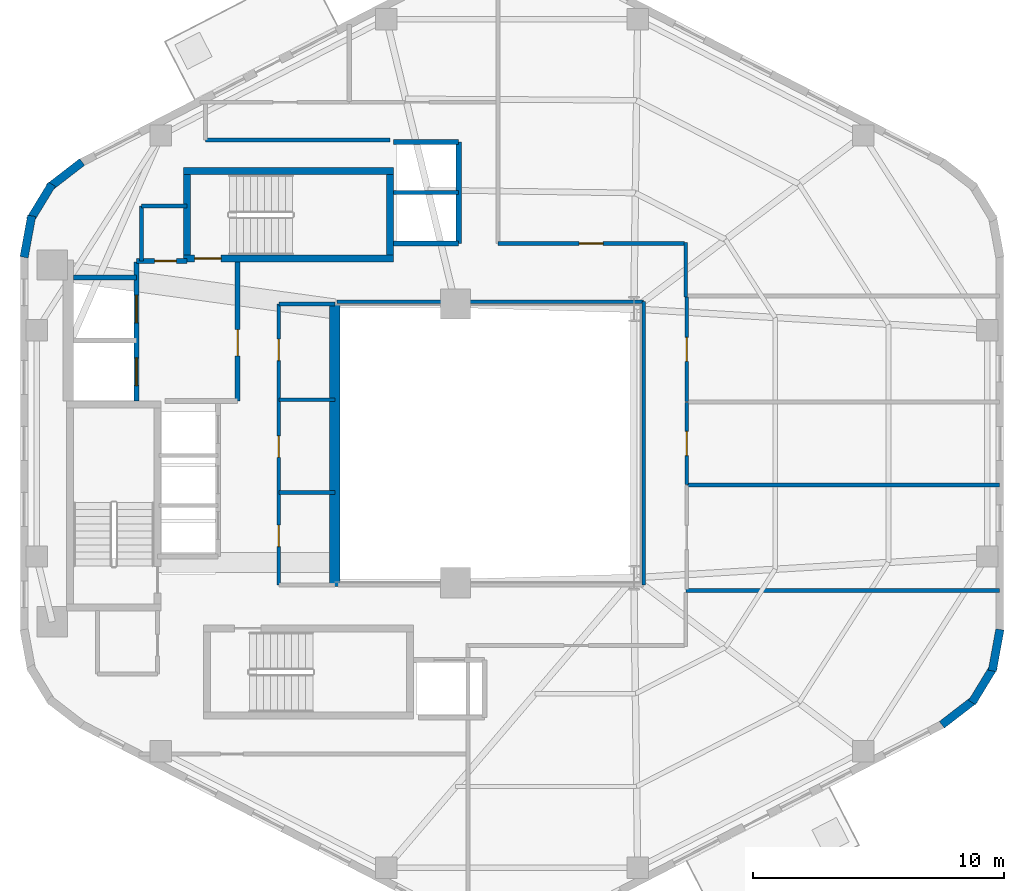
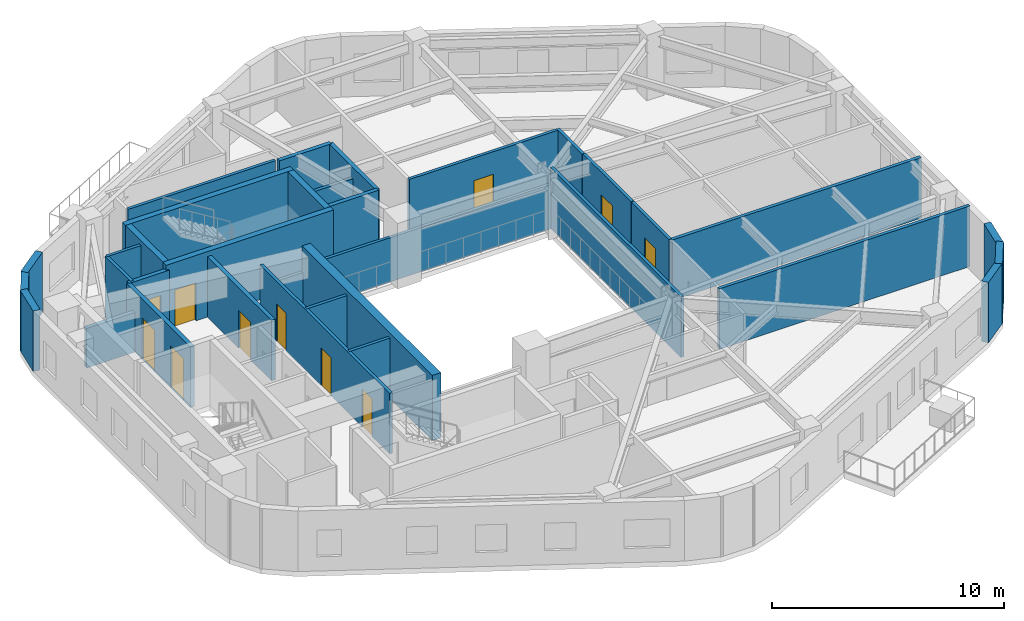
# One storey, part 4 of 8: 34 walls, 11 doors, 11 openings.
"""IFC4 building model written with IfcOpenShell, lengths in metres."""

from ifc_helpers import new_model, si_unit, direction, frame, frame_2d, origin, place, context, subcontext, project, spatial, rectangle, extrude, material, layer, layer_set, type_object, element, fill, save


model = new_model("IFC4")

# Units and contexts
model_context = context("Model", 3, precision=1e-05, world=origin(), true_north=direction((0.0, 1.0)))
body_context = subcontext(model_context, "Body", "Model", "MODEL_VIEW")
ifc_project = project(units=[si_unit("LENGTHUNIT", "METRE"), si_unit("AREAUNIT", "SQUARE_METRE"), si_unit("VOLUMEUNIT", "CUBIC_METRE"), si_unit("PLANEANGLEUNIT", "RADIAN"), si_unit("MASSUNIT", "GRAM", prefix="KILO"), si_unit("THERMODYNAMICTEMPERATUREUNIT", "KELVIN"), si_unit("POWERUNIT", "WATT")], contexts=[model_context])

# Site, building, storey
site_placement = place(None, origin())
site = spatial("IfcSite", under=ifc_project, at=site_placement, CompositionType="ELEMENT")
building_placement = place(site_placement, origin())
building = spatial("IfcBuilding", under=site, at=building_placement, Name="Skarre Station Tower", CompositionType="ELEMENT")
storey_placement = place(building_placement, frame((0.0, 0.0, 203.35009765625)))
storey = spatial("IfcBuildingStorey", under=building, at=storey_placement, Name="L55", CompositionType="ELEMENT", Elevation=203.35009765625)

# Walls
ifc_material_1 = material(Name="Acoustic Steel-Stud Gypsum Partition", Category="steel")
ifc_layer_1 = layer(ifc_material_1, 0.14990234375, Name="Acoustic Steel-Stud Gypsum Partition")
ifc_layer_set_1 = layer_set([ifc_layer_1], Name="Acoustic Steel-Stud Gypsum Partition")
wall_type_1 = type_object("IfcWallType", Name="Fire-Rated Corridor Acoustic Partition 150", PredefinedType="PARTITIONING", material=ifc_layer_set_1)
for number, where, z_axis, x_axis, name in (
    (1, (25.320068359375, 22.0400390625, 0.0), (0.0, 0.0, 1.0), (1.0, 0.0, 0.0), "L55 Interior Partition WL-PT-L55-RC2-M1"),
    (2, (25.320068359375, 25.739990234375, 0.0), (0.0, 0.0, 1.0), (1.0, 0.0, 0.0), "L55 Interior Partition WL-PT-L55-RC2-M2"),
):
    element("IfcWall", number, at=place(storey_placement, frame(where, z_axis=z_axis, x_axis=x_axis)), inside=storey, type_object=wall_type_1, Name=name, PredefinedType="PARTITIONING", context=body_context, shape_type="SweptSolid", body=[
        extrude(rectangle(XDim=2.22998046875, YDim=0.14990234375, at=frame_2d((1.114990234375, 0.0))), origin(), (0.0, 0.0, 1.0), 3.18994140625),
    ])

# Wall, openings, doors
wall_1_placement = place(storey_placement, frame((25.320068359375, 29.550048828125, 0.0), z_axis=(0.0, 0.0, 1.0), x_axis=(0.0, -1.0, 0.0)))
wall_1 = element("IfcWall", 3, at=wall_1_placement, inside=storey, type_object=wall_type_1, Name="L55 Interior Partition WL-PT-L55-RC2-W", PredefinedType="PARTITIONING", context=body_context, shape_type="SweptSolid", body=[
    extrude(rectangle(XDim=11.18994140625, YDim=0.14990234375, at=frame_2d((5.594970703125, 0.0))), origin(), (0.0, 0.0, 1.0), 3.18994140625),
])
opening_1_placement = place(wall_1_placement, frame((1.39990234375, 0.0, 0.0)))
opening_1 = element("IfcOpeningElement", 4, at=opening_1_placement, cuts=wall_1, Name="Opening DR-SVC86", PredefinedType="OPENING", context=body_context, shape_type="SweptSolid", body=[
    extrude(rectangle(XDim=0.860107421875, YDim=2.0, at=frame_2d((0.43017578125, 1.0))), frame((0.0, 0.0849609375, 0.0), z_axis=(0.0, -1.0, 0.0), x_axis=(1.0, 0.0, 0.0)), (0.0, 0.0, 1.0), 0.169921875),
])
opening_2_placement = place(wall_1_placement, frame((5.25, 0.0, 0.0)))
opening_2 = element("IfcOpeningElement", 5, at=opening_2_placement, cuts=wall_1, Name="Opening DR-SVC86", PredefinedType="OPENING", context=body_context, shape_type="SweptSolid", body=[
    extrude(rectangle(XDim=0.860107421875, YDim=2.0, at=frame_2d((0.43017578125, 1.0))), frame((0.0, 0.0849609375, 0.0), z_axis=(0.0, -1.0, 0.0), x_axis=(1.0, 0.0, 0.0)), (0.0, 0.0, 1.0), 0.169921875),
])
opening_3_placement = place(wall_1_placement, frame((8.800048828125, 0.0, 0.0)))
opening_3 = element("IfcOpeningElement", 6, at=opening_3_placement, cuts=wall_1, Name="Opening DR-SVC86", PredefinedType="OPENING", context=body_context, shape_type="SweptSolid", body=[
    extrude(rectangle(XDim=0.860107421875, YDim=2.0, at=frame_2d((0.43017578125, 1.0))), frame((0.0, 0.0849609375, 0.0), z_axis=(0.0, -1.0, 0.0), x_axis=(1.0, 0.0, 0.0)), (0.0, 0.0, 1.0), 0.169921875),
])
ifc_material_2 = material(Name="Powder-Coated Hollow-Metal Acoustic Fire Leaf", Category="steel")
door_type_1 = type_object("IfcDoorType", Name="Compact Riser Fire Door FD60 860x2100", OperationType="SINGLE_SWING_LEFT", PredefinedType="DOOR", material=ifc_material_2)
door_1_placement = place(opening_1_placement, origin())
door_1 = element("IfcDoor", 7, at=door_1_placement, inside=storey, type_object=door_type_1, Name="L55 Housekeeping Storage Door", OperationType="SINGLE_SWING_LEFT", OverallHeight=2.0, OverallWidth=0.860107421875, PredefinedType="DOOR", context=body_context, shape_type="SweptSolid", body=[
    extrude(rectangle(XDim=0.860107421875, YDim=2.0, at=frame_2d((0.43017578125, 1.0))), frame((0.0, 0.02490234375, 0.0), z_axis=(0.0, -1.0, 0.0), x_axis=(1.0, 0.0, 0.0)), (0.0, 0.0, 1.0), 0.050048828125),
])
fill(opening_1, door_1)
door_2_placement = place(opening_2_placement, origin())
door_2 = element("IfcDoor", 8, at=door_2_placement, inside=storey, type_object=door_type_1, Name="L55 Core IT Room Door", OperationType="SINGLE_SWING_LEFT", OverallHeight=2.0, OverallWidth=0.860107421875, PredefinedType="DOOR", context=body_context, shape_type="SweptSolid", body=[
    extrude(rectangle(XDim=0.860107421875, YDim=2.0, at=frame_2d((0.43017578125, 1.0))), frame((0.0, 0.02490234375, 0.0), z_axis=(0.0, -1.0, 0.0), x_axis=(1.0, 0.0, 0.0)), (0.0, 0.0, 1.0), 0.050048828125),
])
fill(opening_2, door_2)
door_3_placement = place(opening_3_placement, origin())
door_3 = element("IfcDoor", 9, at=door_3_placement, inside=storey, type_object=door_type_1, Name="L55 Beverage Pantry Door", OperationType="SINGLE_SWING_LEFT", OverallHeight=2.0, OverallWidth=0.860107421875, PredefinedType="DOOR", context=body_context, shape_type="SweptSolid", body=[
    extrude(rectangle(XDim=0.860107421875, YDim=2.0, at=frame_2d((0.43017578125, 1.0))), frame((0.0, 0.02490234375, 0.0), z_axis=(0.0, -1.0, 0.0), x_axis=(1.0, 0.0, 0.0)), (0.0, 0.0, 1.0), 0.050048828125),
])
fill(opening_3, door_3)

# Walls
wall_2_placement = place(storey_placement, frame((27.550048828125, 29.550048828125, 0.0), z_axis=(0.0, 0.0, 1.0), x_axis=(-1.0, 0.0, 0.0)))
element("IfcWall", 10, at=wall_2_placement, inside=storey, type_object=wall_type_1, Name="L55 Interior Partition WL-PT-L55-RC2-N", PredefinedType="PARTITIONING", context=body_context, shape_type="SweptSolid", body=[
    extrude(rectangle(XDim=2.22998046875, YDim=0.14990234375, at=frame_2d((1.114990234375, 0.0))), origin(), (0.0, 0.0, 1.0), 2.08984375),
])
wall_3_placement = place(storey_placement, frame((19.85009765625, 33.449951171875, 0.0), z_axis=(0.0, 0.0, 1.0), x_axis=(0.0, -1.0, 0.0)))
element("IfcWall", 11, at=wall_3_placement, inside=storey, type_object=wall_type_1, Name="L55 Interior Partition WL-PT-L55-CNW-W", PredefinedType="PARTITIONING", context=body_context, shape_type="SweptSolid", body=[
    extrude(rectangle(XDim=2.18994140625, YDim=0.14990234375, at=frame_2d((1.094970703125, 0.0))), origin(), (0.0, 0.0, 1.0), 3.18994140625),
])
wall_4_placement = place(storey_placement, frame((21.659912109375, 33.449951171875, 0.0), z_axis=(0.0, 0.0, 1.0), x_axis=(-1.0, 0.0, 0.0)))
element("IfcWall", 12, at=wall_4_placement, inside=storey, type_object=wall_type_1, Name="L55 Interior Partition WL-PT-L55-CNW-N1", PredefinedType="PARTITIONING", context=body_context, shape_type="SweptSolid", body=[
    extrude(rectangle(XDim=1.809814453125, YDim=0.14990234375, at=frame_2d((0.90478515625, 0.0))), origin(), (0.0, 0.0, 1.0), 3.18994140625),
])
wall_5_placement = place(storey_placement, frame((39.840087890625, 29.639892578125, 0.0), z_axis=(0.0, 0.0, 1.0), x_axis=(-1.0, 0.0, 0.0)))
element("IfcWall", 13, at=wall_5_placement, inside=storey, type_object=wall_type_1, Name="L55 Interior Partition WL-PT-L55-ATRW-N", PredefinedType="PARTITIONING", context=body_context, shape_type="SweptSolid", body=[
    extrude(rectangle(XDim=12.203125, YDim=0.14990234375, at=frame_2d((6.1015625, 0.0))), origin(), (0.0, 0.0, 1.0), 2.330810546875),
])
wall_6_placement = place(storey_placement, frame((39.840087890625, 18.360107421875, 0.0), z_axis=(0.0, 0.0, 1.0), x_axis=(0.0, 1.0, 0.0)))
element("IfcWall", 14, at=wall_6_placement, inside=storey, type_object=wall_type_1, Name="L55 Interior Partition WL-PT-L55-ATRW-E", PredefinedType="PARTITIONING", context=body_context, shape_type="SweptSolid", body=[
    extrude(rectangle(XDim=11.27978515625, YDim=0.14990234375, at=frame_2d((5.639892578125, 0.0))), origin(), (0.0, 0.0, 1.0), 3.18994140625),
])
wall_7_placement = place(storey_placement, frame((41.52001953125, 29.820068359375, 0.0), z_axis=(0.0, 0.0, 1.0), x_axis=(0.0, 1.0, 0.0)))
element("IfcWall", 15, at=wall_7_placement, inside=storey, type_object=wall_type_1, Name="L55 Interior Partition WL-PT-L55-CORR-NER", PredefinedType="PARTITIONING", context=body_context, shape_type="SweptSolid", body=[
    extrude(rectangle(XDim=2.179931640625, YDim=0.14990234375, at=frame_2d((1.08984375, 0.0))), origin(), (0.0, 0.0, 1.0), 3.18994140625),
])

# Wall, opening, door
wall_8_placement = place(storey_placement, frame((41.4599609375, 31.9599609375, 0.0), z_axis=(0.0, 0.0, 1.0), x_axis=(-1.0, 0.0, 0.0)))
wall_8 = element("IfcWall", 16, at=wall_8_placement, inside=storey, type_object=wall_type_1, Name="L55 Interior Partition WL-PT-L55-NW1-CW", PredefinedType="PARTITIONING", context=body_context, shape_type="SweptSolid", body=[
    extrude(rectangle(XDim=7.419921875, YDim=0.14990234375, at=frame_2d((3.7099609375, 0.0))), origin(), (0.0, 0.0, 1.0), 3.18994140625),
])
opening_4_placement = place(wall_8_placement, frame((3.22998046875, 0.0, 0.0)))
opening_4 = element("IfcOpeningElement", 17, at=opening_4_placement, cuts=wall_8, Name="Opening DR-FD60", PredefinedType="OPENING", context=body_context, shape_type="SweptSolid", body=[
    extrude(rectangle(XDim=0.9599609375, YDim=2.0, at=frame_2d((0.47998046875, 1.0))), frame((0.0, 0.0849609375, 0.0), z_axis=(0.0, -1.0, 0.0), x_axis=(1.0, 0.0, 0.0)), (0.0, 0.0, 1.0), 0.169921875),
])
ifc_material_3 = material(Name="Nordic White-Oak Veneer Solid-Core Fire Leaf", Category="wood")
door_type_2 = type_object("IfcDoorType", Name="Corridor Suite Entry Fire Door FD60 960x2150", OperationType="SINGLE_SWING_LEFT", PredefinedType="DOOR", material=ifc_material_3)
door_4_placement = place(opening_4_placement, origin())
door_4 = element("IfcDoor", 18, at=door_4_placement, inside=storey, type_object=door_type_2, Name="L55 NW1 Entry Door", OperationType="SINGLE_SWING_LEFT", OverallHeight=2.0, OverallWidth=0.9599609375, PredefinedType="DOOR", context=body_context, shape_type="SweptSolid", body=[
    extrude(rectangle(XDim=0.9599609375, YDim=2.0, at=frame_2d((0.47998046875, 1.0))), frame((0.0, 0.02490234375, 0.0), z_axis=(0.0, -1.0, 0.0), x_axis=(1.0, 0.0, 0.0)), (0.0, 0.0, 1.0), 0.050048828125),
])
fill(opening_4, door_4)

wall_9_placement = place(storey_placement, frame((41.56005859375, 22.364990234375, 0.0), z_axis=(0.0, 0.0, 1.0), x_axis=(0.0, 1.0, 0.0)))
wall_9 = element("IfcWall", 19, at=wall_9_placement, inside=storey, type_object=wall_type_1, Name="L55 Interior Partition WL-PT-L55-EW2-CW", PredefinedType="PARTITIONING", context=body_context, shape_type="SweptSolid", body=[
    extrude(rectangle(XDim=3.258056640625, YDim=0.14990234375, at=frame_2d((1.62890625, 0.0))), origin(), (0.0, 0.0, 1.0), 3.18994140625),
])
opening_5_placement = place(wall_9_placement, frame((1.14892578125, 0.0, 0.0)))
opening_5 = element("IfcOpeningElement", 20, at=opening_5_placement, cuts=wall_9, Name="Opening DR-FD60", PredefinedType="OPENING", context=body_context, shape_type="SweptSolid", body=[
    extrude(rectangle(XDim=0.9599609375, YDim=2.0, at=frame_2d((0.47998046875, 1.0))), frame((0.0, 0.0849609375, 0.0), z_axis=(0.0, -1.0, 0.0), x_axis=(1.0, 0.0, 0.0)), (0.0, 0.0, 1.0), 0.169921875),
])
door_5_placement = place(opening_5_placement, origin())
door_5 = element("IfcDoor", 21, at=door_5_placement, inside=storey, type_object=door_type_2, Name="L55 EW2 Entry Door", OperationType="SINGLE_SWING_LEFT", OverallHeight=2.0, OverallWidth=0.9599609375, PredefinedType="DOOR", context=body_context, shape_type="SweptSolid", body=[
    extrude(rectangle(XDim=0.9599609375, YDim=2.0, at=frame_2d((0.47998046875, 1.0))), frame((0.0, 0.02490234375, 0.0), z_axis=(0.0, -1.0, 0.0), x_axis=(1.0, 0.0, 0.0)), (0.0, 0.0, 1.0), 0.050048828125),
])
fill(opening_5, door_5)

wall_10_placement = place(storey_placement, frame((41.56005859375, 25.658935546875, 0.0), z_axis=(0.0, 0.0, 1.0), x_axis=(0.0, 1.0, 0.0)))
wall_10 = element("IfcWall", 22, at=wall_10_placement, inside=storey, type_object=wall_type_1, Name="L55 Interior Partition WL-PT-L55-EW3-CW", PredefinedType="PARTITIONING", context=body_context, shape_type="SweptSolid", body=[
    extrude(rectangle(XDim=4.1611328125, YDim=0.14990234375, at=frame_2d((2.08056640625, 0.0))), origin(), (0.0, 0.0, 1.0), 3.18994140625),
])
opening_6_placement = place(wall_10_placement, frame((1.60107421875, 0.0, 0.0)))
opening_6 = element("IfcOpeningElement", 23, at=opening_6_placement, cuts=wall_10, Name="Opening DR-FD60", PredefinedType="OPENING", context=body_context, shape_type="SweptSolid", body=[
    extrude(rectangle(XDim=0.9599609375, YDim=2.0, at=frame_2d((0.47998046875, 1.0))), frame((0.0, 0.0849609375, 0.0), z_axis=(0.0, -1.0, 0.0), x_axis=(1.0, 0.0, 0.0)), (0.0, 0.0, 1.0), 0.169921875),
])
door_6_placement = place(opening_6_placement, origin())
door_6 = element("IfcDoor", 24, at=door_6_placement, inside=storey, type_object=door_type_2, Name="L55 EW3 Entry Door", OperationType="SINGLE_SWING_LEFT", OverallHeight=2.0, OverallWidth=0.9599609375, PredefinedType="DOOR", context=body_context, shape_type="SweptSolid", body=[
    extrude(rectangle(XDim=0.9599609375, YDim=2.0, at=frame_2d((0.47998046875, 1.0))), frame((0.0, 0.02490234375, 0.0), z_axis=(0.0, -1.0, 0.0), x_axis=(1.0, 0.0, 0.0)), (0.0, 0.0, 1.0), 0.050048828125),
])
fill(opening_6, door_6)

# Walls
wall_11_placement = place(storey_placement, frame((29.7529296875, 36.080078125, 0.0), z_axis=(0.0, 0.0, 1.0), x_axis=(-1.0, 0.0, 0.0)))
element("IfcWall", 25, at=wall_11_placement, inside=storey, type_object=wall_type_1, Name="L55 Interior Partition WL-PT-L55-CSEAL-1", PredefinedType="PARTITIONING", context=body_context, shape_type="SweptSolid", body=[
    extrude(rectangle(XDim=7.35302734375, YDim=0.14990234375, at=frame_2d((3.676513671875, 0.0))), origin(), (0.0, 0.0, 1.0), 3.18994140625),
])
ifc_material_4 = material(Name="Precast concrete C45/55", Category="concrete")
ifc_layer_2 = layer(ifc_material_4, 0.330078125, Name="Precast concrete C45/55")
ifc_layer_set_2 = layer_set([ifc_layer_2], Name="Precast concrete C45/55")
wall_type_2 = type_object("IfcWallType", Name="Nordic Rounded Corner Precast Wall 330", PredefinedType="STANDARD", material=ifc_layer_set_2)
wall_12_placement = place(storey_placement, frame((15.178955078125, 31.407958984375, 0.0), z_axis=(0.0, 0.0, 1.0), x_axis=(0.180717642671, 0.983535019014, 0.0)))
element("IfcWall", 26, at=wall_12_placement, inside=storey, type_object=wall_type_2, Name="L55 Rounded Corner Precast Wall F2-1", PredefinedType="STANDARD", context=body_context, shape_type="SweptSolid", body=[
    extrude(rectangle(XDim=1.676513671875, YDim=0.330078125, at=frame_2d((0.83837890625, 0.0))), origin(), (0.0, 0.0, 1.0), 3.18994140625),
])
wall_13_placement = place(storey_placement, frame((15.4150390625, 32.882080078125, 0.0), z_axis=(0.0, 0.0, 1.0), x_axis=(0.520325409202, 0.853968072318, 0.0)))
element("IfcWall", 27, at=wall_13_placement, inside=storey, type_object=wall_type_2, Name="L55 Rounded Corner Precast Wall F2-2", PredefinedType="STANDARD", context=body_context, shape_type="SweptSolid", body=[
    extrude(rectangle(XDim=1.677978515625, YDim=0.330078125, at=frame_2d((0.8388671875, 0.0))), origin(), (0.0, 0.0, 1.0), 3.18994140625),
])
for number, where, z_axis, x_axis, name in (
    (28, (16.162109375, 34.175048828125, 0.0), (0.0, 0.0, 1.0), (0.791409877269, 0.611285862884, 0.0), "L55 Rounded Corner Precast Wall F2-3"),
    (29, (54.02099609375, 16.592041015625, 0.0), (0.0, 0.0, 1.0), (-0.180717642671, -0.983535019014, 0.0), "L55 Rounded Corner Precast Wall F5-1"),
):
    element("IfcWall", number, at=place(storey_placement, frame(where, z_axis=z_axis, x_axis=x_axis)), inside=storey, type_object=wall_type_2, Name=name, PredefinedType="STANDARD", context=body_context, shape_type="SweptSolid", body=[
        extrude(rectangle(XDim=1.676513671875, YDim=0.330078125, at=frame_2d((0.83837890625, 0.0))), origin(), (0.0, 0.0, 1.0), 3.18994140625),
    ])
wall_14_placement = place(storey_placement, frame((53.784912109375, 15.117919921875, 0.0), z_axis=(0.0, 0.0, 1.0), x_axis=(-0.520219286058, -0.85403272444, 0.0)))
element("IfcWall", 30, at=wall_14_placement, inside=storey, type_object=wall_type_2, Name="L55 Rounded Corner Precast Wall F5-2", PredefinedType="STANDARD", context=body_context, shape_type="SweptSolid", body=[
    extrude(rectangle(XDim=1.677734375, YDim=0.330078125, at=frame_2d((0.8388671875, 0.0))), origin(), (0.0, 0.0, 1.0), 3.18994140625),
])
wall_15_placement = place(storey_placement, frame((53.0380859375, 13.824951171875, 0.0), z_axis=(0.0, 0.0, 1.0), x_axis=(-0.791464279355, -0.611215423976, 0.0)))
element("IfcWall", 31, at=wall_15_placement, inside=storey, type_object=wall_type_2, Name="L55 Rounded Corner Precast Wall F5-3", PredefinedType="STANDARD", context=body_context, shape_type="SweptSolid", body=[
    extrude(rectangle(XDim=1.6767578125, YDim=0.330078125, at=frame_2d((0.83837890625, 0.0))), origin(), (0.0, 0.0, 1.0), 3.18994140625),
])

# Wall, opening, door
ifc_material_5 = material(Name="Concrete C50/60", Category="concrete")
ifc_layer_3 = layer(ifc_material_5, 0.280029296875, Name="Concrete C50/60")
ifc_layer_set_3 = layer_set([ifc_layer_3], Name="Concrete C50/60")
wall_type_3 = type_object("IfcWallType", Name="RC Core Shear Wall 280", PredefinedType="SHEAR", material=ifc_layer_set_3)
wall_16_placement = place(storey_placement, frame((21.52001953125, 31.360107421875, 0.0), z_axis=(0.0, 0.0, 1.0), x_axis=(1.0, 0.0, 0.0)))
wall_16 = element("IfcWall", 32, at=wall_16_placement, inside=storey, type_object=wall_type_3, Name="L55 Stair ST-3 South Shear Wall", PredefinedType="SHEAR", context=body_context, shape_type="SweptSolid", body=[
    extrude(rectangle(XDim=8.35986328125, YDim=0.280029296875, at=frame_2d((4.179931640625, 0.0))), origin(), (0.0, 0.0, 1.0), 3.449951171875),
])
opening_7_placement = place(wall_16_placement, frame((0.449951171875, 0.0, 0.0)))
opening_7 = element("IfcOpeningElement", 33, at=opening_7_placement, cuts=wall_16, Name="Opening DR-FD90", PredefinedType="OPENING", context=body_context, shape_type="SweptSolid", body=[
    extrude(rectangle(XDim=1.050048828125, YDim=2.0, at=frame_2d((0.52490234375, 1.0))), frame((0.0, 0.14990234375, 0.0), z_axis=(0.0, -1.0, 0.0), x_axis=(1.0, 0.0, 0.0)), (0.0, 0.0, 1.0), 0.300048828125),
])
ifc_material_6 = material(Name="Fire-Rated Insulated Steel Frame & Timber Core Leaf", Category="steel")
door_type_3 = type_object("IfcDoorType", Name="Stair & FSAE Lobby Fire Door FD90 1050x2150", OperationType="SINGLE_SWING_RIGHT", PredefinedType="DOOR", material=ifc_material_6)
door_7_placement = place(opening_7_placement, origin())
door_7 = element("IfcDoor", 34, at=door_7_placement, inside=storey, type_object=door_type_3, Name="L55 Stair ST-3 & FSAE Lobby Direct Exit Door", OperationType="SINGLE_SWING_LEFT", OverallHeight=2.0, OverallWidth=1.050048828125, PredefinedType="DOOR", context=body_context, shape_type="SweptSolid", body=[
    extrude(rectangle(XDim=1.050048828125, YDim=2.0, at=frame_2d((0.52490234375, 1.0))), frame((0.0, 0.02490234375, 0.0), z_axis=(0.0, -1.0, 0.0), x_axis=(1.0, 0.0, 0.0)), (0.0, 0.0, 1.0), 0.050048828125),
])
fill(opening_7, door_7)

# Walls
wall_17_placement = place(storey_placement, frame((29.8798828125, 34.840087890625, 0.0), z_axis=(0.0, 0.0, 1.0), x_axis=(-1.0, 0.0, 0.0)))
element("IfcWall", 35, at=wall_17_placement, inside=storey, type_object=wall_type_3, Name="L55 Stair ST-3 North Shear Wall", PredefinedType="SHEAR", context=body_context, shape_type="SweptSolid", body=[
    extrude(rectangle(XDim=8.35986328125, YDim=0.280029296875, at=frame_2d((4.179931640625, 0.0))), origin(), (0.0, 0.0, 1.0), 3.449951171875),
])
for number, where, z_axis, x_axis, name in (
    (36, (21.659912109375, 34.699951171875, 0.0), (0.0, 0.0, 1.0), (0.0, -1.0, 0.0), "L55 Stair ST-3 West Shear Wall"),
    (37, (29.739990234375, 31.5, 0.0), (0.0, 0.0, 1.0), (0.0, 1.0, 0.0), "L55 Stair ST-3 East Shear Wall"),
):
    element("IfcWall", number, at=place(storey_placement, frame(where, z_axis=z_axis, x_axis=x_axis)), inside=storey, type_object=wall_type_3, Name=name, PredefinedType="SHEAR", context=body_context, shape_type="SweptSolid", body=[
        extrude(rectangle(XDim=3.199951171875, YDim=0.280029296875, at=frame_2d((1.60009765625, 0.0))), origin(), (0.0, 0.0, 1.0), 3.449951171875),
    ])
ifc_material_7 = material(Name="Concrete C60/75", Category="concrete")
ifc_layer_4 = layer(ifc_material_7, 0.419921875, Name="Concrete C60/75")
ifc_layer_set_4 = layer_set([ifc_layer_4], Name="Concrete C60/75")
wall_type_4 = type_object("IfcWallType", Name="RC Core Shear Wall 420", PredefinedType="SHEAR", material=ifc_layer_set_4)
wall_18_placement = place(storey_placement, frame((27.550048828125, 29.550048828125, 0.0), z_axis=(0.0, 0.0, 1.0), x_axis=(0.0, -1.0, 0.0)))
element("IfcWall", 38, at=wall_18_placement, inside=storey, type_object=wall_type_4, Name="L55 Core East Atrium Shear Wall", PredefinedType="SHEAR", context=body_context, shape_type="SweptSolid", body=[
    extrude(rectangle(XDim=11.25, YDim=0.419921875, at=frame_2d((5.625, 0.0))), origin(), (0.0, 0.0, 1.0), 3.449951171875),
])

# Wall, openings, doors
ifc_material_8 = material(Name="Gypsum Concrete Shaft Assembly C30/37", Category="concrete")
ifc_layer_5 = layer(ifc_material_8, 0.199951171875, Name="Gypsum Concrete Shaft Assembly C30/37")
ifc_layer_set_5 = layer_set([ifc_layer_5], Name="Gypsum Concrete Shaft Assembly C30/37")
wall_type_5 = type_object("IfcWallType", Name="Shaft & Core Fire Partition 200", PredefinedType="PARTITIONING", material=ifc_layer_set_5)
wall_19_placement = place(storey_placement, frame((19.64990234375, 25.679931640625, 0.0), z_axis=(0.0, 0.0, 1.0), x_axis=(0.0, 1.0, 0.0)))
wall_19 = element("IfcWall", 39, at=wall_19_placement, inside=storey, type_object=wall_type_5, Name="L55 Interior Partition WL-PT-L55-FSAE-W", PredefinedType="PARTITIONING", context=body_context, shape_type="SweptSolid", body=[
    extrude(rectangle(XDim=5.5400390625, YDim=0.199951171875, at=frame_2d((2.77001953125, 0.0))), origin(), (0.0, 0.0, 1.0), 3.18994140625),
])
opening_8_placement = place(wall_19_placement, frame((0.6201171875, 0.0, 0.0)))
opening_8 = element("IfcOpeningElement", 40, at=opening_8_placement, cuts=wall_19, Name="Opening LD-FF1", PredefinedType="OPENING", context=body_context, shape_type="SweptSolid", body=[
    extrude(rectangle(XDim=1.10009765625, YDim=2.199951171875, at=frame_2d((0.550048828125, 1.10009765625))), frame((0.0, 0.10986328125, 0.0), z_axis=(0.0, -1.0, 0.0), x_axis=(1.0, 0.0, 0.0)), (0.0, 0.0, 1.0), 0.219970703125),
])
opening_9_placement = place(wall_19_placement, frame((3.1201171875, 0.0, 0.0)))
opening_9 = element("IfcOpeningElement", 41, at=opening_9_placement, cuts=wall_19, Name="Opening LD-FF2", PredefinedType="OPENING", context=body_context, shape_type="SweptSolid", body=[
    extrude(rectangle(XDim=1.10009765625, YDim=2.199951171875, at=frame_2d((0.550048828125, 1.10009765625))), frame((0.0, 0.10986328125, 0.0), z_axis=(0.0, -1.0, 0.0), x_axis=(1.0, 0.0, 0.0)), (0.0, 0.0, 1.0), 0.219970703125),
])
ifc_material_9 = material(Name="Fire-Rated Stainless Steel Grade 316L Sliding Leaves", Category="steel")
door_type_4 = type_object("IfcDoorType", Name="Fire Service Access Elevator Sliding Landing Door 1100x2200", OperationType="SLIDING_TO_LEFT", PredefinedType="DOOR", material=ifc_material_9)
door_8_placement = place(opening_8_placement, origin())
door_8 = element("IfcDoor", 42, at=door_8_placement, inside=storey, type_object=door_type_4, Name="L55 Firefighting Lift LF-FF1 Landing Door", OperationType="SLIDING_TO_LEFT", OverallHeight=2.199951171875, OverallWidth=1.10009765625, PredefinedType="DOOR", context=body_context, shape_type="SweptSolid", body=[
    extrude(rectangle(XDim=1.10009765625, YDim=2.199951171875, at=frame_2d((0.550048828125, 1.10009765625))), frame((0.0, 0.02490234375, 0.0), z_axis=(0.0, -1.0, 0.0), x_axis=(1.0, 0.0, 0.0)), (0.0, 0.0, 1.0), 0.050048828125),
])
fill(opening_8, door_8)
door_9_placement = place(opening_9_placement, origin())
door_9 = element("IfcDoor", 43, at=door_9_placement, inside=storey, type_object=door_type_4, Name="L55 Firefighting Lift LF-FF2 Landing Door", OperationType="SLIDING_TO_LEFT", OverallHeight=2.199951171875, OverallWidth=1.10009765625, PredefinedType="DOOR", context=body_context, shape_type="SweptSolid", body=[
    extrude(rectangle(XDim=1.10009765625, YDim=2.199951171875, at=frame_2d((0.550048828125, 1.10009765625))), frame((0.0, 0.02490234375, 0.0), z_axis=(0.0, -1.0, 0.0), x_axis=(1.0, 0.0, 0.0)), (0.0, 0.0, 1.0), 0.050048828125),
])
fill(opening_9, door_9)

# Wall, opening, door
wall_20_placement = place(storey_placement, frame((23.679931640625, 25.679931640625, 0.0), z_axis=(0.0, 0.0, 1.0), x_axis=(0.0, 1.0, 0.0)))
wall_20 = element("IfcWall", 44, at=wall_20_placement, inside=storey, type_object=wall_type_5, Name="L55 Interior Partition WL-PT-L55-FSAE-E", PredefinedType="PARTITIONING", context=body_context, shape_type="SweptSolid", body=[
    extrude(rectangle(XDim=5.5400390625, YDim=0.199951171875, at=frame_2d((2.77001953125, 0.0))), origin(), (0.0, 0.0, 1.0), 3.18994140625),
])
opening_10_placement = place(wall_20_placement, frame((1.800048828125, 0.0, 0.0)))
opening_10 = element("IfcOpeningElement", 45, at=opening_10_placement, cuts=wall_20, Name="Opening DR-FD90", PredefinedType="OPENING", context=body_context, shape_type="SweptSolid", body=[
    extrude(rectangle(XDim=1.050048828125, YDim=2.0, at=frame_2d((0.52490234375, 1.0))), frame((0.0, 0.10986328125, 0.0), z_axis=(0.0, -1.0, 0.0), x_axis=(1.0, 0.0, 0.0)), (0.0, 0.0, 1.0), 0.219970703125),
])
door_10_placement = place(opening_10_placement, origin())
door_10 = element("IfcDoor", 46, at=door_10_placement, inside=storey, type_object=door_type_3, Name="L55 FSAE Lobby Fire Door", OperationType="SINGLE_SWING_RIGHT", OverallHeight=2.0, OverallWidth=1.050048828125, PredefinedType="DOOR", context=body_context, shape_type="SweptSolid", body=[
    extrude(rectangle(XDim=1.050048828125, YDim=2.0, at=frame_2d((0.52490234375, 1.0))), frame((0.0, 0.02490234375, 0.0), z_axis=(0.0, -1.0, 0.0), x_axis=(1.0, 0.0, 0.0)), (0.0, 0.0, 1.0), 0.050048828125),
])
fill(opening_10, door_10)

wall_21_placement = place(storey_placement, frame((21.659912109375, 31.260009765625, 0.0), z_axis=(0.0, 0.0, 1.0), x_axis=(-1.0, 0.0, 0.0)))
wall_21 = element("IfcWall", 47, at=wall_21_placement, inside=storey, type_object=wall_type_5, Name="L55 Interior Partition WL-PT-L55-FSAE-N", PredefinedType="PARTITIONING", context=body_context, shape_type="SweptSolid", body=[
    extrude(rectangle(XDim=2.010009765625, YDim=0.199951171875, at=frame_2d((1.0048828125, 0.0))), origin(), (0.0, 0.0, 1.0), 3.18994140625),
])
opening_11_placement = place(wall_21_placement, frame((0.419921875, 0.0, 0.0)))
opening_11 = element("IfcOpeningElement", 48, at=opening_11_placement, cuts=wall_21, Name="Opening DR-SVC86", PredefinedType="OPENING", context=body_context, shape_type="SweptSolid", body=[
    extrude(rectangle(XDim=0.860107421875, YDim=2.0, at=frame_2d((0.43017578125, 1.0))), frame((0.0, 0.10986328125, 0.0), z_axis=(0.0, -1.0, 0.0), x_axis=(1.0, 0.0, 0.0)), (0.0, 0.0, 1.0), 0.219970703125),
])
door_11_placement = place(opening_11_placement, origin())
door_11 = element("IfcDoor", 49, at=door_11_placement, inside=storey, type_object=door_type_1, Name="L55 Core Service Room Lobby Door", OperationType="SINGLE_SWING_LEFT", OverallHeight=2.0, OverallWidth=0.860107421875, PredefinedType="DOOR", context=body_context, shape_type="SweptSolid", body=[
    extrude(rectangle(XDim=0.860107421875, YDim=2.0, at=frame_2d((0.43017578125, 1.0))), frame((0.0, 0.02490234375, 0.0), z_axis=(0.0, -1.0, 0.0), x_axis=(1.0, 0.0, 0.0)), (0.0, 0.0, 1.0), 0.050048828125),
])
fill(opening_11, door_11)

# Walls
wall_22_placement = place(storey_placement, frame((19.64990234375, 30.60009765625, 0.0), z_axis=(0.0, 0.0, 1.0), x_axis=(-1.0, 0.0, 0.0)))
element("IfcWall", 50, at=wall_22_placement, inside=storey, type_object=wall_type_5, Name="L55 Interior Partition WL-PT-L55-FF-N", PredefinedType="PARTITIONING", context=body_context, shape_type="SweptSolid", body=[
    extrude(rectangle(XDim=2.5, YDim=0.199951171875, at=frame_2d((1.25, 0.0))), origin(), (0.0, 0.0, 1.0), 2.08984375),
])
wall_23_placement = place(storey_placement, frame((32.47998046875, 31.949951171875, 0.0), z_axis=(0.0, 0.0, 1.0), x_axis=(0.0, 1.0, 0.0)))
element("IfcWall", 51, at=wall_23_placement, inside=storey, type_object=wall_type_5, Name="L55 Interior Partition WL-PT-L55-EX-E", PredefinedType="PARTITIONING", context=body_context, shape_type="SweptSolid", body=[
    extrude(rectangle(XDim=4.050048828125, YDim=0.199951171875, at=frame_2d((2.02490234375, 0.0))), origin(), (0.0, 0.0, 1.0), 3.18994140625),
])
for number, where, z_axis, x_axis, name in (
    (52, (29.8798828125, 36.0, 0.0), (0.0, 0.0, 1.0), (1.0, 0.0, 0.0), "L55 Interior Partition WL-PT-L55-EX-N"),
    (53, (32.47998046875, 31.949951171875, 0.0), (0.0, 0.0, 1.0), (-1.0, 0.0, 0.0), "L55 Interior Partition WL-PT-L55-EX-S"),
):
    element("IfcWall", number, at=place(storey_placement, frame(where, z_axis=z_axis, x_axis=x_axis)), inside=storey, type_object=wall_type_5, Name=name, PredefinedType="PARTITIONING", context=body_context, shape_type="SweptSolid", body=[
        extrude(rectangle(XDim=2.60009765625, YDim=0.199951171875, at=frame_2d((1.300048828125, 0.0))), origin(), (0.0, 0.0, 1.0), 3.18994140625),
    ])
wall_24_placement = place(storey_placement, frame((29.875, 33.97998046875, 0.0), z_axis=(0.0, 0.0, 1.0), x_axis=(1.0, 0.0, 0.0)))
element("IfcWall", 54, at=wall_24_placement, inside=storey, type_object=wall_type_5, Name="L55 Interior Partition WL-PT-L55-EX-DIV", PredefinedType="PARTITIONING", context=body_context, shape_type="SweptSolid", body=[
    extrude(rectangle(XDim=2.60498046875, YDim=0.159912109375, at=frame_2d((1.302490234375, 0.0))), origin(), (0.0, 0.0, 1.0), 2.581787109375),
])
ifc_layer_6 = layer(ifc_material_1, 0.1650390625, Name="Acoustic Steel-Stud Gypsum Partition")
ifc_layer_set_6 = layer_set([ifc_layer_6], Name="Acoustic Steel-Stud Gypsum Partition")
wall_type_6 = type_object("IfcWallType", Name="Suite Demising Acoustic Partition 165", PredefinedType="PARTITIONING", material=ifc_layer_set_6)
wall_25_placement = place(storey_placement, frame((41.52001953125, 18.139892578125, 0.0), z_axis=(0.0, 0.0, 1.0), x_axis=(1.0, 0.0, 0.0)))
element("IfcWall", 55, at=wall_25_placement, inside=storey, type_object=wall_type_6, Name="L55 Interior Partition WL-PT-L55-EWB-S", PredefinedType="PARTITIONING", context=body_context, shape_type="SweptSolid", body=[
    extrude(rectangle(XDim=12.48193359375, YDim=0.1650390625, at=frame_2d((6.240966796875, 0.0))), origin(), (0.0, 0.0, 1.0), 3.18994140625),
])
wall_26_placement = place(storey_placement, frame((41.590087890625, 22.346923828125, 0.0), z_axis=(0.0, 0.0, 1.0), x_axis=(1.0, 0.0, 0.0)))
element("IfcWall", 56, at=wall_26_placement, inside=storey, type_object=wall_type_6, Name="L55 Interior Partition WL-PT-L55-EW-P1", PredefinedType="PARTITIONING", context=body_context, shape_type="SweptSolid", body=[
    extrude(rectangle(XDim=12.411865234375, YDim=0.1650390625, at=frame_2d((6.2060546875, 0.0))), origin(), (0.0, 0.0, 1.0), 3.18994140625),
])

save(model, "model.ifc")
